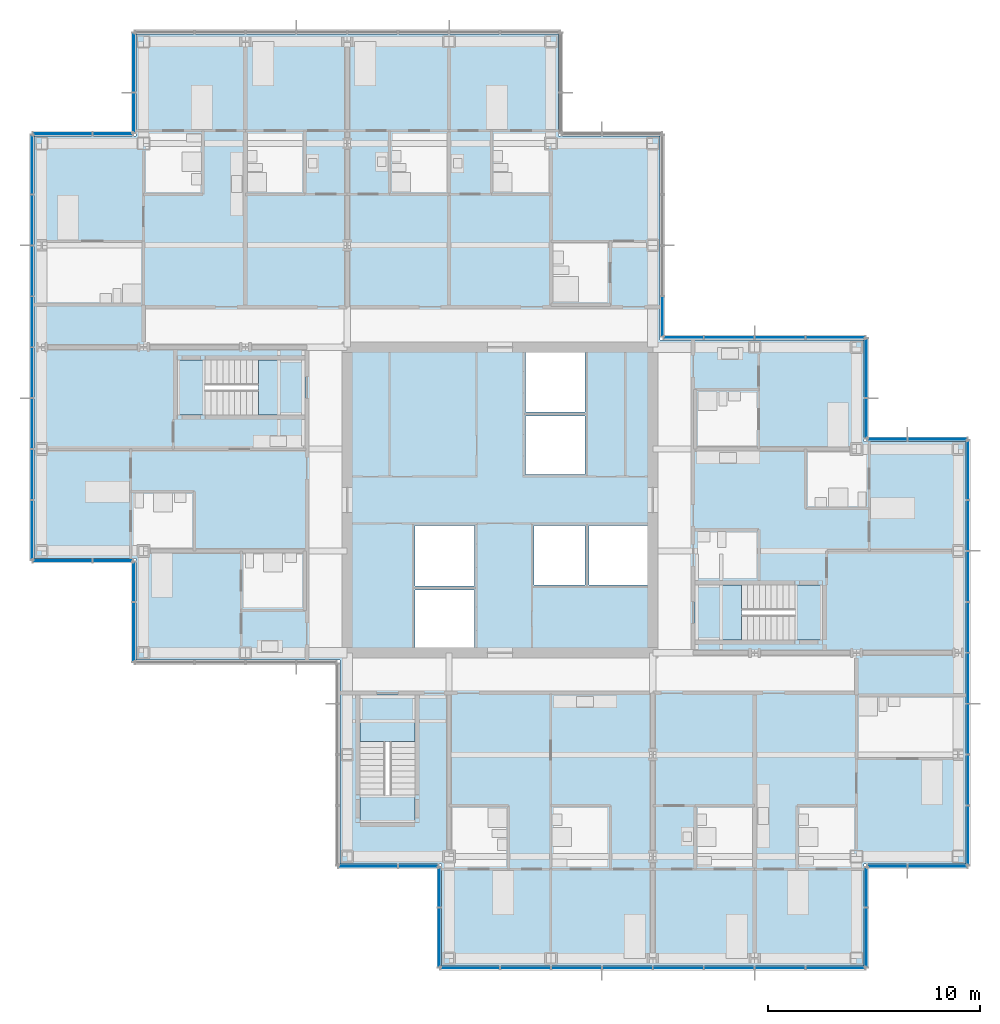
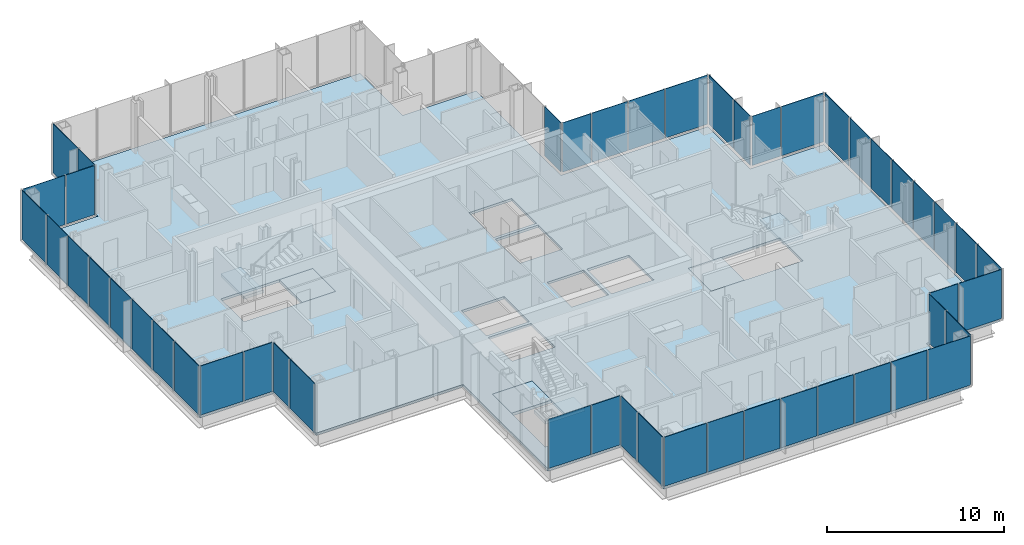
# One storey, part 12 of 20: 49 plates, 7 slabs, 18 elements without a shape of their own.
"""IFC4 building model written with IfcOpenShell, lengths in metres."""

import ifcopenshell
import ifcopenshell.guid

model = None  # the IFC model being written
_history = None  # IfcOwnerHistory: only IFC2X3 demands one
_inside = {}  # id of a spatial element -> (the spatial element, [elements in it])
_under = {}  # id of a project, library or spatial element -> (it, [spatial elements below it])
_declared = {}  # id of a project -> (the project, [libraries it declares])
_typed = {}  # id of a type object -> (the type object, [elements of that type])
_made_of = {}  # id of a material, layer set ... -> (it, [elements and type objects made of it])


def new_model(schema):
    """Start an empty IFC model of exactly this schema.

    Asked for "IFC4X3", IfcOpenShell would pick the latest addendum, in which some entities
    have other attributes; the version numbers below select the first issue.
    IFC2X3 requires an IfcOwnerHistory on every rooted entity: one is made here for all.
    """
    global model, _history
    if schema == "IFC4X3":
        model = ifcopenshell.file(schema_version=(4, 3, 0, 0))
    else:
        model = ifcopenshell.file(schema=schema)
    _inside.clear()
    _under.clear()
    _declared.clear()
    _typed.clear()
    _made_of.clear()
    _history = None
    if model.schema == "IFC2X3":
        org = make("IfcOrganization", Name="unknown")
        user = make(
            "IfcPersonAndOrganization",
            ThePerson=make("IfcPerson", FamilyName="unknown"),
            TheOrganization=org,
        )
        app = make(
            "IfcApplication",
            ApplicationDeveloper=org,
            Version="unknown",
            ApplicationFullName="unknown",
            ApplicationIdentifier="unknown",
        )
        _history = make(
            "IfcOwnerHistory",
            OwningUser=user,
            OwningApplication=app,
            ChangeAction="ADDED",
            CreationDate=0,
        )
    return model


def make(cls, **values):
    """One entity of the class cls with the attributes given. An attribute that is None is left unset."""
    return model.create_entity(
        cls, **{name: value for name, value in values.items() if value is not None}
    )


def rooted(cls, **values):
    """An entity with a GlobalId (a new one), such as an element, a storey or a relation."""
    return make(cls, GlobalId=ifcopenshell.guid.new(), OwnerHistory=_history, **values)


def si_unit(unit_type, name, prefix=None):
    """IfcSIUnit, for example si_unit("LENGTHUNIT", "METRE", prefix="MILLI")."""
    return make("IfcSIUnit", UnitType=unit_type, Prefix=prefix, Name=name)


def assignment(units):
    """IfcUnitAssignment: the units of a project."""
    return None if units is None else make("IfcUnitAssignment", Units=units)


def point(xyz):
    """IfcCartesianPoint."""
    return None if xyz is None else make("IfcCartesianPoint", Coordinates=xyz)


def direction(xyz):
    """IfcDirection."""
    return None if xyz is None else make("IfcDirection", DirectionRatios=xyz)


def frame(location, z_axis=None, x_axis=None):
    """IfcAxis2Placement3D, a coordinate frame: its origin and axes. An axis left out is left unset."""
    return make(
        "IfcAxis2Placement3D",
        Location=point(location),
        Axis=direction(z_axis),
        RefDirection=direction(x_axis),
    )


def frame_2d(location, x_axis=None):
    """IfcAxis2Placement2D, a coordinate frame in the plane: its origin and x axis."""
    return make(
        "IfcAxis2Placement2D", Location=point(location), RefDirection=direction(x_axis)
    )


def origin():
    """The frame at (0, 0, 0) with its axes left unset."""
    return frame((0.0, 0.0, 0.0))


def origin_2d():
    """The frame at (0, 0) in the plane with its x axis left unset."""
    return frame_2d((0.0, 0.0))


def place(relative_to, where):
    """IfcLocalPlacement: puts the frame where relative to a parent placement (None: the world)."""
    return make(
        "IfcLocalPlacement", PlacementRelTo=relative_to, RelativePlacement=where
    )


def context(
    kind, dimensions, precision=None, world=None, true_north=None, identifier=None
):
    """IfcGeometricRepresentationContext, for example the 3D "Model" context."""
    return make(
        "IfcGeometricRepresentationContext",
        ContextIdentifier=identifier,
        ContextType=kind,
        CoordinateSpaceDimension=dimensions,
        Precision=precision,
        WorldCoordinateSystem=world,
        TrueNorth=true_north,
    )


def subcontext(parent, identifier, kind, view, scale=None):
    """IfcGeometricRepresentationSubContext, for example "Body" below "Model"."""
    return make(
        "IfcGeometricRepresentationSubContext",
        ContextIdentifier=identifier,
        ContextType=kind,
        ParentContext=parent,
        TargetScale=scale,
        TargetView=view,
    )


def project(units=None, contexts=None):
    """IfcProject with its units and contexts."""
    return rooted(
        "IfcProject",
        Name="project",
        RepresentationContexts=contexts,
        UnitsInContext=assignment(units),
    )


def spatial(cls, under=None, at=None, **own):
    """A site, building, storey or space (cls), placed at a placement, below another one or the project."""
    s = rooted(cls, ObjectPlacement=at, **own)
    if under is not None:
        _under.setdefault(under.id(), (under, []))[1].append(s)
    return s


def polyline(points):
    """IfcPolyline through the points."""
    return make("IfcPolyline", Points=[point(p) for p in points])


def profile(cls, at=None, kind="AREA", **sizes):
    """A parametric profile (cls). Its sizes go by their IFC names, for example OverallWidth=200.0."""
    return make(cls, ProfileType=kind, Position=at, **sizes)


def rectangle(**sizes):
    """IfcRectangleProfileDef."""
    return profile("IfcRectangleProfileDef", **sizes)


def outline(outer, holes=None, kind="AREA"):
    """IfcArbitraryClosedProfileDef: a profile drawn as a closed curve; with holes, ...WithVoids."""
    if holes is None:
        return make("IfcArbitraryClosedProfileDef", ProfileType=kind, OuterCurve=outer)
    return make(
        "IfcArbitraryProfileDefWithVoids",
        ProfileType=kind,
        OuterCurve=outer,
        InnerCurves=holes,
    )


def extrude(swept, where, along, depth):
    """IfcExtrudedAreaSolid: the profile swept, set in the frame where, extruded along a direction by depth."""
    return make(
        "IfcExtrudedAreaSolid",
        SweptArea=swept,
        Position=where,
        ExtrudedDirection=direction(along),
        Depth=depth,
    )


def shape(context_of_items, identifier, shape_type, items):
    """IfcShapeRepresentation: the items that make up one representation, for example the "Body"."""
    return make(
        "IfcShapeRepresentation",
        ContextOfItems=context_of_items,
        RepresentationIdentifier=identifier,
        RepresentationType=shape_type,
        Items=items,
    )


def material(Name=None, Category=None):
    """IfcMaterial."""
    return make("IfcMaterial", Name=Name, Category=Category)


def layer(
    of_material, thickness, ventilated=None, Name=None, Category=None, Priority=None
):
    """IfcMaterialLayer: one layer of a wall or slab, of a material (None: an air gap)."""
    return make(
        "IfcMaterialLayer",
        Material=of_material,
        LayerThickness=thickness,
        IsVentilated=ventilated,
        Name=Name,
        Category=Category,
        Priority=Priority,
    )


def layer_set(layers, Name=None):
    """IfcMaterialLayerSet."""
    return make("IfcMaterialLayerSet", MaterialLayers=layers, LayerSetName=Name)


def made_of(thing, what):
    """Note that an element or type object is made of a material, layer set ...; save() writes the relation."""
    if what is not None:
        _made_of.setdefault(what.id(), (what, []))[1].append(thing)
    return thing


def type_object(cls, material=None, **own):
    """A type object (cls), such as IfcWallType, which elements share."""
    return made_of(rooted(cls, **own), material)


def element(
    cls,
    number,
    at=None,
    inside=None,
    cuts=None,
    type_object=None,
    material=None,
    context=None,
    identifier="Body",
    shape_type=None,
    held_by="IfcProductDefinitionShape",
    body=None,
    shapes=None,
    **own,
):
    """One element of the class cls, such as IfcWall. Its Tag is "e" and its number.

    at: its placement. inside: the storey or other place that contains it. cuts: it is an
    opening in that element (IfcRelVoidsElement). A single representation is given by context,
    identifier, shape_type and body (its items); several are given by shapes. held_by: the class
    of the entity that holds the representations. save() writes the other relations.
    """
    e = rooted(cls, Tag="e%d" % number, ObjectPlacement=at, **own)
    if body is not None:
        shapes = [shape(context, identifier, shape_type, body)]
    if shapes is not None:
        e.Representation = make(held_by, Representations=shapes)
    if inside is not None:
        _inside.setdefault(inside.id(), (inside, []))[1].append(e)
    if cuts is not None:
        rooted(
            "IfcRelVoidsElement", RelatingBuildingElement=cuts, RelatedOpeningElement=e
        )
    if type_object is not None:
        _typed.setdefault(type_object.id(), (type_object, []))[1].append(e)
    return made_of(e, material)


def aggregate(whole, parts):
    """IfcRelAggregates: a whole, such as a stair, and the parts it consists of."""
    return rooted("IfcRelAggregates", RelatingObject=whole, RelatedObjects=parts)


def save(model, path):
    """Write the relations noted so far, then the file.

    IfcRelAggregates (storeys below a building ...), IfcRelContainedInSpatialStructure (elements
    in a storey), IfcRelDefinesByType, IfcRelAssociatesMaterial and IfcRelDeclares: one each for
    every whole, place, type object, material and project.
    """
    for whole, parts in _under.values():
        aggregate(whole, parts)
    for where, things in _inside.values():
        rooted(
            "IfcRelContainedInSpatialStructure",
            RelatedElements=things,
            RelatingStructure=where,
        )
    for kind, things in _typed.values():
        rooted("IfcRelDefinesByType", RelatedObjects=things, RelatingType=kind)
    for what, things in _made_of.values():
        rooted("IfcRelAssociatesMaterial", RelatedObjects=things, RelatingMaterial=what)
    for by, libraries in _declared.values():
        rooted("IfcRelDeclares", RelatingContext=by, RelatedDefinitions=libraries)
    model.write(path)


model = new_model("IFC4")

# Units and contexts
model_context = context("Model", 3, precision=1e-05, world=origin(), true_north=direction((0.0, 1.0)))
body_context = subcontext(model_context, "Body", "Model", "MODEL_VIEW")
ifc_project = project(units=[si_unit("LENGTHUNIT", "METRE"), si_unit("AREAUNIT", "SQUARE_METRE"), si_unit("VOLUMEUNIT", "CUBIC_METRE"), si_unit("PLANEANGLEUNIT", "RADIAN"), si_unit("MASSUNIT", "GRAM", prefix="KILO")], contexts=[model_context])

# Site, building, storey
site_placement = place(None, origin())
site = spatial("IfcSite", under=ifc_project, at=site_placement, CompositionType="ELEMENT")
building_placement = place(site_placement, origin())
building = spatial("IfcBuilding", under=site, at=building_placement, Name="Kvirike Care Tower", CompositionType="ELEMENT")
storey_placement = place(building_placement, frame((0.0, 0.0, 115.5)))
storey = spatial("IfcBuildingStorey", under=building, at=storey_placement, Name="L31", CompositionType="ELEMENT", Elevation=115.5)

# Slab
ifc_material_1 = material(Name="Concrete C35/45", Category="concrete")
ifc_layer_1 = layer(ifc_material_1, 0.169921875)
ifc_layer_set_1 = layer_set([ifc_layer_1], Name="FLOOR SLAB 170")
slab_type_1 = type_object("IfcSlabType", Name="FLOOR SLAB 170", PredefinedType="FLOOR", material=ifc_layer_set_1)
slab_1_placement = place(storey_placement, frame((0.0, 0.0, -0.169921875)))
element("IfcSlab", 1, at=slab_1_placement, inside=storey, type_object=slab_type_1, Name="Floor slab L31", PredefinedType="FLOOR", context=body_context, shape_type="SweptSolid", body=[
    extrude(outline(polyline([(43.550048828125, 18.85009765625), (43.550048828125, 38.75), (38.75, 38.75), (38.75, 43.550048828125), (29.14990234375, 43.550048828125), (29.14990234375, 53.14990234375), (24.35009765625, 53.14990234375), (24.35009765625, 57.949951171875), (4.449951171875, 57.949951171875), (4.449951171875, 53.14990234375), (-0.35009765625, 53.14990234375), (-0.35009765625, 33.25), (4.449951171875, 33.25), (4.449951171875, 28.449951171875), (14.050048828125, 28.449951171875), (14.050048828125, 18.85009765625), (18.85009765625, 18.85009765625), (18.85009765625, 14.050048828125), (38.75, 14.050048828125), (38.75, 18.85009765625), (43.550048828125, 18.85009765625)]), holes=[polyline([(17.60009765625, 29.050048828125), (17.60009765625, 31.75), (20.39990234375, 31.75), (20.39990234375, 29.050048828125), (17.60009765625, 29.050048828125)]), polyline([(17.60009765625, 31.949951171875), (17.60009765625, 34.800048828125), (20.39990234375, 34.800048828125), (20.39990234375, 31.949951171875), (17.60009765625, 31.949951171875)]), polyline([(22.800048828125, 37.199951171875), (22.800048828125, 39.949951171875), (25.60009765625, 39.949951171875), (25.60009765625, 37.199951171875), (22.800048828125, 37.199951171875)]), polyline([(22.800048828125, 40.14990234375), (22.800048828125, 42.949951171875), (25.60009765625, 42.949951171875), (25.60009765625, 40.14990234375), (22.800048828125, 40.14990234375)]), polyline([(23.199951171875, 32.0), (23.199951171875, 34.800048828125), (25.60009765625, 34.800048828125), (25.60009765625, 32.0), (23.199951171875, 32.0)]), polyline([(25.800048828125, 32.0), (25.800048828125, 34.800048828125), (28.550048828125, 34.800048828125), (28.550048828125, 32.0), (25.800048828125, 32.0)]), polyline([(12.39990234375, 42.60009765625), (12.39990234375, 40.0), (6.39990234375, 40.0), (6.39990234375, 42.60009765625), (12.39990234375, 42.60009765625)]), polyline([(30.800048828125, 29.39990234375), (30.800048828125, 32.0), (36.800048828125, 32.0), (36.800048828125, 29.39990234375), (30.800048828125, 29.39990234375)]), polyline([(15.0, 26.800048828125), (17.60009765625, 26.800048828125), (17.60009765625, 20.800048828125), (15.0, 20.800048828125), (15.0, 26.800048828125)])]), origin(), (0.0, 0.0, 1.0), 0.169921875),
])

# Stair, slabs
ifc_material_2 = material(Name="Concrete C35/45", Category="concrete")
stair_type = type_object("IfcStairType", Name="STAIR 20 RISERS", PredefinedType="HALF_TURN_STAIR", material=ifc_material_2)
stair_1_placement = place(storey_placement, origin())
stair_1 = element("IfcStair", 2, at=stair_1_placement, inside=storey, type_object=stair_type, Name="Stair 1 L31", PredefinedType="HALF_TURN_STAIR")
ifc_material_3 = material(Name="Concrete C35/45", Category="concrete")
ifc_layer_2 = layer(ifc_material_3, 0.199951171875)
ifc_layer_set_2 = layer_set([ifc_layer_2], Name="STAIR LANDING 200")
slab_type_2 = type_object("IfcSlabType", Name="STAIR LANDING 200", PredefinedType="LANDING", material=ifc_layer_set_2)
slab_2_placement = place(storey_placement, frame((0.0, 0.0, -0.199951171875)))
slab_2 = element("IfcSlab", 3, at=slab_2_placement, type_object=slab_type_2, Name="Stair S1 floor landing L31", PredefinedType="LANDING", context=body_context, shape_type="SweptSolid", body=[
    extrude(outline(polyline([(10.219970703125, 42.60009765625), (10.219970703125, 40.0), (12.39990234375, 40.0), (12.39990234375, 42.60009765625), (10.219970703125, 42.60009765625)])), origin(), (0.0, 0.0, 1.0), 0.199951171875),
])
slab_3_placement = place(storey_placement, frame((0.0, 0.0, 1.550048828125)))
slab_3 = element("IfcSlab", 4, at=slab_3_placement, type_object=slab_type_2, Name="Stair S1 half landing L31-L32", PredefinedType="LANDING", context=body_context, shape_type="SweptSolid", body=[
    extrude(outline(polyline([(6.39990234375, 42.60009765625), (6.39990234375, 40.0), (7.699951171875, 40.0), (7.699951171875, 42.60009765625), (6.39990234375, 42.60009765625)])), origin(), (0.0, 0.0, 1.0), 0.199951171875),
])
aggregate(stair_1, [slab_2, slab_3])

stair_2_placement = place(storey_placement, origin())
stair_2 = element("IfcStair", 5, at=stair_2_placement, inside=storey, type_object=stair_type, Name="Stair 2 L31", PredefinedType="HALF_TURN_STAIR")
slab_4_placement = place(storey_placement, frame((0.0, 0.0, -0.199951171875)))
slab_4 = element("IfcSlab", 6, at=slab_4_placement, type_object=slab_type_2, Name="Stair S2 floor landing L31", PredefinedType="LANDING", context=body_context, shape_type="SweptSolid", body=[
    extrude(outline(polyline([(32.97998046875, 29.39990234375), (32.97998046875, 32.0), (30.800048828125, 32.0), (30.800048828125, 29.39990234375), (32.97998046875, 29.39990234375)])), origin(), (0.0, 0.0, 1.0), 0.199951171875),
])
slab_5_placement = place(storey_placement, frame((0.0, 0.0, 1.550048828125)))
slab_5 = element("IfcSlab", 7, at=slab_5_placement, type_object=slab_type_2, Name="Stair S2 half landing L31-L32", PredefinedType="LANDING", context=body_context, shape_type="SweptSolid", body=[
    extrude(outline(polyline([(36.800048828125, 29.39990234375), (36.800048828125, 32.0), (35.5, 32.0), (35.5, 29.39990234375), (36.800048828125, 29.39990234375)])), origin(), (0.0, 0.0, 1.0), 0.199951171875),
])
aggregate(stair_2, [slab_4, slab_5])

stair_3_placement = place(storey_placement, origin())
stair_3 = element("IfcStair", 8, at=stair_3_placement, inside=storey, type_object=stair_type, Name="Stair 5 L31", PredefinedType="HALF_TURN_STAIR")
slab_6_placement = place(storey_placement, frame((0.0, 0.0, -0.199951171875)))
slab_6 = element("IfcSlab", 9, at=slab_6_placement, type_object=slab_type_2, Name="Stair S5 floor landing L31", PredefinedType="LANDING", context=body_context, shape_type="SweptSolid", body=[
    extrude(outline(polyline([(15.0, 24.6201171875), (17.60009765625, 24.6201171875), (17.60009765625, 26.800048828125), (15.0, 26.800048828125), (15.0, 24.6201171875)])), origin(), (0.0, 0.0, 1.0), 0.199951171875),
])
slab_7_placement = place(storey_placement, frame((0.0, 0.0, 1.550048828125)))
slab_7 = element("IfcSlab", 10, at=slab_7_placement, type_object=slab_type_2, Name="Stair S5 half landing L31-L32", PredefinedType="LANDING", context=body_context, shape_type="SweptSolid", body=[
    extrude(outline(polyline([(15.0, 20.800048828125), (17.60009765625, 20.800048828125), (17.60009765625, 22.10009765625), (15.0, 22.10009765625), (15.0, 20.800048828125)])), origin(), (0.0, 0.0, 1.0), 0.199951171875),
])
aggregate(stair_3, [slab_6, slab_7])

# Curtain wall, plates
ifc_material_4 = material(Name="Anodised aluminium stick system", Category="aluminium")
curtain_wall_type = type_object("IfcCurtainWallType", Name="CW-B STICK CURTAIN WALL", PredefinedType="NOTDEFINED", material=ifc_material_4)
curtain_wall_1_placement = place(storey_placement, origin())
curtain_wall_1 = element("IfcCurtainWall", 11, at=curtain_wall_1_placement, inside=storey, type_object=curtain_wall_type, Name="Curtain wall L31 face 1", PredefinedType="NOTDEFINED")
ifc_material_5 = material(Name="Tinted double glazed unit", Category="glass")
ifc_layer_3 = layer(ifc_material_5, 0.035888671875)
ifc_layer_set_3 = layer_set([ifc_layer_3], Name="TINTED VISION PANEL 36")
plate_type = type_object("IfcPlateType", Name="TINTED VISION PANEL 36", PredefinedType="CURTAIN_PANEL", material=ifc_layer_set_3)
plate_1_placement = place(storey_placement, frame((43.659912109375, 20.186279296875, 0.10009765625), z_axis=(0.0, 0.0, 1.0), x_axis=(0.0, 1.0, 0.0)))
plate_1 = element("IfcPlate", 12, at=plate_1_placement, type_object=plate_type, Name="CW-B panel L31 face 1.1", PredefinedType="CURTAIN_PANEL", context=body_context, shape_type="SweptSolid", body=[
    extrude(rectangle(XDim=2.762451171875, YDim=0.035888671875, at=origin_2d()), origin(), (0.0, 0.0, 1.0), 3.39990234375),
])
plate_2_placement = place(storey_placement, frame((43.659912109375, 22.800048828125, 0.10009765625), z_axis=(0.0, 0.0, 1.0), x_axis=(0.0, 1.0, 0.0)))
plate_2 = element("IfcPlate", 13, at=plate_2_placement, type_object=plate_type, Name="CW-B panel L31 face 1.2", PredefinedType="CURTAIN_PANEL", context=body_context, shape_type="SweptSolid", body=[
    extrude(rectangle(XDim=2.3349609375, YDim=0.035888671875, at=origin_2d()), origin(), (0.0, 0.0, 1.0), 3.39990234375),
])
plate_3_placement = place(storey_placement, frame((43.659912109375, 25.199951171875, 0.10009765625), z_axis=(0.0, 0.0, 1.0), x_axis=(0.0, 1.0, 0.0)))
plate_3 = element("IfcPlate", 14, at=plate_3_placement, type_object=plate_type, Name="CW-B panel L31 face 1.3", PredefinedType="CURTAIN_PANEL", context=body_context, shape_type="SweptSolid", body=[
    extrude(rectangle(XDim=2.3349609375, YDim=0.035888671875, at=origin_2d()), origin(), (0.0, 0.0, 1.0), 3.39990234375),
])
plate_4_placement = place(storey_placement, frame((43.659912109375, 27.60009765625, 0.10009765625), z_axis=(0.0, 0.0, 1.0), x_axis=(0.0, 1.0, 0.0)))
plate_4 = element("IfcPlate", 15, at=plate_4_placement, type_object=plate_type, Name="CW-B panel L31 face 1.4", PredefinedType="CURTAIN_PANEL", context=body_context, shape_type="SweptSolid", body=[
    extrude(rectangle(XDim=2.3349609375, YDim=0.035888671875, at=origin_2d()), origin(), (0.0, 0.0, 1.0), 3.39990234375),
])
plate_5_placement = place(storey_placement, frame((43.659912109375, 30.0, 0.10009765625), z_axis=(0.0, 0.0, 1.0), x_axis=(0.0, 1.0, 0.0)))
plate_5 = element("IfcPlate", 16, at=plate_5_placement, type_object=plate_type, Name="CW-B panel L31 face 1.5", PredefinedType="CURTAIN_PANEL", context=body_context, shape_type="SweptSolid", body=[
    extrude(rectangle(XDim=2.3349609375, YDim=0.035888671875, at=origin_2d()), origin(), (0.0, 0.0, 1.0), 3.39990234375),
])
plate_6_placement = place(storey_placement, frame((43.659912109375, 32.39990234375, 0.10009765625), z_axis=(0.0, 0.0, 1.0), x_axis=(0.0, 1.0, 0.0)))
plate_6 = element("IfcPlate", 17, at=plate_6_placement, type_object=plate_type, Name="CW-B panel L31 face 1.6", PredefinedType="CURTAIN_PANEL", context=body_context, shape_type="SweptSolid", body=[
    extrude(rectangle(XDim=2.3349609375, YDim=0.035888671875, at=origin_2d()), origin(), (0.0, 0.0, 1.0), 3.39990234375),
])
plate_7_placement = place(storey_placement, frame((43.659912109375, 34.800048828125, 0.10009765625), z_axis=(0.0, 0.0, 1.0), x_axis=(0.0, 1.0, 0.0)))
plate_7 = element("IfcPlate", 18, at=plate_7_placement, type_object=plate_type, Name="CW-B panel L31 face 1.7", PredefinedType="CURTAIN_PANEL", context=body_context, shape_type="SweptSolid", body=[
    extrude(rectangle(XDim=2.3349609375, YDim=0.035888671875, at=origin_2d()), origin(), (0.0, 0.0, 1.0), 3.39990234375),
])
plate_8_placement = place(storey_placement, frame((43.659912109375, 37.413818359375, 0.10009765625), z_axis=(0.0, 0.0, 1.0), x_axis=(0.0, 1.0, 0.0)))
plate_8 = element("IfcPlate", 19, at=plate_8_placement, type_object=plate_type, Name="CW-B panel L31 face 1.8", PredefinedType="CURTAIN_PANEL", context=body_context, shape_type="SweptSolid", body=[
    extrude(rectangle(XDim=2.762451171875, YDim=0.035888671875, at=origin_2d()), origin(), (0.0, 0.0, 1.0), 3.39990234375),
])
aggregate(curtain_wall_1, [plate_1, plate_2, plate_3, plate_4, plate_5, plate_6, plate_7, plate_8])

curtain_wall_2_placement = place(storey_placement, origin())
curtain_wall_2 = element("IfcCurtainWall", 20, at=curtain_wall_2_placement, inside=storey, type_object=curtain_wall_type, Name="Curtain wall L31 face 2", PredefinedType="NOTDEFINED")
plate_9_placement = place(storey_placement, frame((42.2138671875, 38.860107421875, 0.10009765625), z_axis=(0.0, 0.0, 1.0), x_axis=(-1.0, 0.0, 0.0)))
plate_9 = element("IfcPlate", 21, at=plate_9_placement, type_object=plate_type, Name="CW-B panel L31 face 2.1", PredefinedType="CURTAIN_PANEL", context=body_context, shape_type="SweptSolid", body=[
    extrude(rectangle(XDim=2.762451171875, YDim=0.035888671875, at=origin_2d()), origin(), (0.0, 0.0, 1.0), 3.39990234375),
])
plate_10_placement = place(storey_placement, frame((39.84619140625, 38.860107421875, 0.10009765625), z_axis=(0.0, 0.0, 1.0), x_axis=(-1.0, 0.0, 0.0)))
plate_10 = element("IfcPlate", 22, at=plate_10_placement, type_object=plate_type, Name="CW-B panel L31 face 2.2", PredefinedType="CURTAIN_PANEL", context=body_context, shape_type="SweptSolid", body=[
    extrude(rectangle(XDim=1.842529296875, YDim=0.035888671875, at=origin_2d()), origin(), (0.0, 0.0, 1.0), 3.39990234375),
])
aggregate(curtain_wall_2, [plate_9, plate_10])

curtain_wall_3_placement = place(storey_placement, origin())
curtain_wall_3 = element("IfcCurtainWall", 23, at=curtain_wall_3_placement, inside=storey, type_object=curtain_wall_type, Name="Curtain wall L31 face 3", PredefinedType="NOTDEFINED")
plate_11_placement = place(storey_placement, frame((38.860107421875, 39.84619140625, 0.10009765625), z_axis=(0.0, 0.0, 1.0), x_axis=(0.0, 1.0, 0.0)))
plate_11 = element("IfcPlate", 24, at=plate_11_placement, type_object=plate_type, Name="CW-B panel L31 face 3.1", PredefinedType="CURTAIN_PANEL", context=body_context, shape_type="SweptSolid", body=[
    extrude(rectangle(XDim=1.842529296875, YDim=0.035888671875, at=origin_2d()), origin(), (0.0, 0.0, 1.0), 3.39990234375),
])
plate_12_placement = place(storey_placement, frame((38.860107421875, 42.2138671875, 0.10009765625), z_axis=(0.0, 0.0, 1.0), x_axis=(0.0, 1.0, 0.0)))
plate_12 = element("IfcPlate", 25, at=plate_12_placement, type_object=plate_type, Name="CW-B panel L31 face 3.2", PredefinedType="CURTAIN_PANEL", context=body_context, shape_type="SweptSolid", body=[
    extrude(rectangle(XDim=2.762451171875, YDim=0.035888671875, at=origin_2d()), origin(), (0.0, 0.0, 1.0), 3.39990234375),
])
aggregate(curtain_wall_3, [plate_11, plate_12])

curtain_wall_4_placement = place(storey_placement, origin())
curtain_wall_4 = element("IfcCurtainWall", 26, at=curtain_wall_4_placement, inside=storey, type_object=curtain_wall_type, Name="Curtain wall L31 face 4", PredefinedType="NOTDEFINED")
plate_13_placement = place(storey_placement, frame((37.413818359375, 43.659912109375, 0.10009765625), z_axis=(0.0, 0.0, 1.0), x_axis=(-1.0, 0.0, 0.0)))
plate_13 = element("IfcPlate", 27, at=plate_13_placement, type_object=plate_type, Name="CW-B panel L31 face 4.1", PredefinedType="CURTAIN_PANEL", context=body_context, shape_type="SweptSolid", body=[
    extrude(rectangle(XDim=2.762451171875, YDim=0.035888671875, at=origin_2d()), origin(), (0.0, 0.0, 1.0), 3.39990234375),
])
plate_14_placement = place(storey_placement, frame((34.800048828125, 43.659912109375, 0.10009765625), z_axis=(0.0, 0.0, 1.0), x_axis=(-1.0, 0.0, 0.0)))
plate_14 = element("IfcPlate", 28, at=plate_14_placement, type_object=plate_type, Name="CW-B panel L31 face 4.2", PredefinedType="CURTAIN_PANEL", context=body_context, shape_type="SweptSolid", body=[
    extrude(rectangle(XDim=2.3349609375, YDim=0.035888671875, at=origin_2d()), origin(), (0.0, 0.0, 1.0), 3.39990234375),
])
plate_15_placement = place(storey_placement, frame((32.39990234375, 43.659912109375, 0.10009765625), z_axis=(0.0, 0.0, 1.0), x_axis=(-1.0, 0.0, 0.0)))
plate_15 = element("IfcPlate", 29, at=plate_15_placement, type_object=plate_type, Name="CW-B panel L31 face 4.3", PredefinedType="CURTAIN_PANEL", context=body_context, shape_type="SweptSolid", body=[
    extrude(rectangle(XDim=2.3349609375, YDim=0.035888671875, at=origin_2d()), origin(), (0.0, 0.0, 1.0), 3.39990234375),
])
plate_16_placement = place(storey_placement, frame((30.246337890625, 43.659912109375, 0.10009765625), z_axis=(0.0, 0.0, 1.0), x_axis=(-1.0, 0.0, 0.0)))
plate_16 = element("IfcPlate", 30, at=plate_16_placement, type_object=plate_type, Name="CW-B panel L31 face 4.4", PredefinedType="CURTAIN_PANEL", context=body_context, shape_type="SweptSolid", body=[
    extrude(rectangle(XDim=1.842529296875, YDim=0.035888671875, at=origin_2d()), origin(), (0.0, 0.0, 1.0), 3.39990234375),
])
aggregate(curtain_wall_4, [plate_13, plate_14, plate_15, plate_16])

# Curtain wall, plate
curtain_wall_5_placement = place(storey_placement, origin())
curtain_wall_5 = element("IfcCurtainWall", 31, at=curtain_wall_5_placement, inside=storey, type_object=curtain_wall_type, Name="Curtain wall L31 face 5", PredefinedType="NOTDEFINED")
plate_17_placement = place(storey_placement, frame((29.260009765625, 44.646240234375, 0.10009765625), z_axis=(0.0, 0.0, 1.0), x_axis=(0.0, 1.0, 0.0)))
plate_17 = element("IfcPlate", 32, at=plate_17_placement, type_object=plate_type, Name="CW-B panel L31 face 5.1", PredefinedType="CURTAIN_PANEL", context=body_context, shape_type="SweptSolid", body=[
    extrude(rectangle(XDim=1.842529296875, YDim=0.035888671875, at=origin_2d()), origin(), (0.0, 0.0, 1.0), 3.39990234375),
])
aggregate(curtain_wall_5, [plate_17])

# Curtain wall, plates
curtain_wall_6_placement = place(storey_placement, origin())
curtain_wall_6 = element("IfcCurtainWall", 33, at=curtain_wall_6_placement, inside=storey, type_object=curtain_wall_type, Name="Curtain wall L31 face 9", PredefinedType="NOTDEFINED")
plate_18_placement = place(storey_placement, frame((4.340087890625, 56.61376953125, 0.10009765625), z_axis=(0.0, 0.0, 1.0), x_axis=(0.0, -1.0, 0.0)))
plate_18 = element("IfcPlate", 34, at=plate_18_placement, type_object=plate_type, Name="CW-B panel L31 face 9.1", PredefinedType="CURTAIN_PANEL", context=body_context, shape_type="SweptSolid", body=[
    extrude(rectangle(XDim=2.762451171875, YDim=0.035888671875, at=origin_2d()), origin(), (0.0, 0.0, 1.0), 3.39990234375),
])
plate_19_placement = place(storey_placement, frame((4.340087890625, 54.246337890625, 0.10009765625), z_axis=(0.0, 0.0, 1.0), x_axis=(0.0, -1.0, 0.0)))
plate_19 = element("IfcPlate", 35, at=plate_19_placement, type_object=plate_type, Name="CW-B panel L31 face 9.2", PredefinedType="CURTAIN_PANEL", context=body_context, shape_type="SweptSolid", body=[
    extrude(rectangle(XDim=1.842529296875, YDim=0.035888671875, at=origin_2d()), origin(), (0.0, 0.0, 1.0), 3.39990234375),
])
aggregate(curtain_wall_6, [plate_18, plate_19])

curtain_wall_7_placement = place(storey_placement, origin())
curtain_wall_7 = element("IfcCurtainWall", 36, at=curtain_wall_7_placement, inside=storey, type_object=curtain_wall_type, Name="Curtain wall L31 face 10", PredefinedType="NOTDEFINED")
plate_20_placement = place(storey_placement, frame((3.353759765625, 53.260009765625, 0.10009765625), z_axis=(0.0, 0.0, 1.0), x_axis=(-1.0, 0.0, 0.0)))
plate_20 = element("IfcPlate", 37, at=plate_20_placement, type_object=plate_type, Name="CW-B panel L31 face 10.1", PredefinedType="CURTAIN_PANEL", context=body_context, shape_type="SweptSolid", body=[
    extrude(rectangle(XDim=1.842529296875, YDim=0.035888671875, at=origin_2d()), origin(), (0.0, 0.0, 1.0), 3.39990234375),
])
plate_21_placement = place(storey_placement, frame((0.986328125, 53.260009765625, 0.10009765625), z_axis=(0.0, 0.0, 1.0), x_axis=(-1.0, 0.0, 0.0)))
plate_21 = element("IfcPlate", 38, at=plate_21_placement, type_object=plate_type, Name="CW-B panel L31 face 10.2", PredefinedType="CURTAIN_PANEL", context=body_context, shape_type="SweptSolid", body=[
    extrude(rectangle(XDim=2.762451171875, YDim=0.035888671875, at=origin_2d()), origin(), (0.0, 0.0, 1.0), 3.39990234375),
])
aggregate(curtain_wall_7, [plate_20, plate_21])

curtain_wall_8_placement = place(storey_placement, origin())
curtain_wall_8 = element("IfcCurtainWall", 39, at=curtain_wall_8_placement, inside=storey, type_object=curtain_wall_type, Name="Curtain wall L31 face 11", PredefinedType="NOTDEFINED")
plate_22_placement = place(storey_placement, frame((-0.4599609375, 51.813720703125, 0.10009765625), z_axis=(0.0, 0.0, 1.0), x_axis=(0.0, -1.0, 0.0)))
plate_22 = element("IfcPlate", 40, at=plate_22_placement, type_object=plate_type, Name="CW-B panel L31 face 11.1", PredefinedType="CURTAIN_PANEL", context=body_context, shape_type="SweptSolid", body=[
    extrude(rectangle(XDim=2.762451171875, YDim=0.035888671875, at=origin_2d()), origin(), (0.0, 0.0, 1.0), 3.39990234375),
])
plate_23_placement = place(storey_placement, frame((-0.4599609375, 49.199951171875, 0.10009765625), z_axis=(0.0, 0.0, 1.0), x_axis=(0.0, -1.0, 0.0)))
plate_23 = element("IfcPlate", 41, at=plate_23_placement, type_object=plate_type, Name="CW-B panel L31 face 11.2", PredefinedType="CURTAIN_PANEL", context=body_context, shape_type="SweptSolid", body=[
    extrude(rectangle(XDim=2.3349609375, YDim=0.035888671875, at=origin_2d()), origin(), (0.0, 0.0, 1.0), 3.39990234375),
])
plate_24_placement = place(storey_placement, frame((-0.4599609375, 46.800048828125, 0.10009765625), z_axis=(0.0, 0.0, 1.0), x_axis=(0.0, -1.0, 0.0)))
plate_24 = element("IfcPlate", 42, at=plate_24_placement, type_object=plate_type, Name="CW-B panel L31 face 11.3", PredefinedType="CURTAIN_PANEL", context=body_context, shape_type="SweptSolid", body=[
    extrude(rectangle(XDim=2.3349609375, YDim=0.035888671875, at=origin_2d()), origin(), (0.0, 0.0, 1.0), 3.39990234375),
])
plate_25_placement = place(storey_placement, frame((-0.4599609375, 44.39990234375, 0.10009765625), z_axis=(0.0, 0.0, 1.0), x_axis=(0.0, -1.0, 0.0)))
plate_25 = element("IfcPlate", 43, at=plate_25_placement, type_object=plate_type, Name="CW-B panel L31 face 11.4", PredefinedType="CURTAIN_PANEL", context=body_context, shape_type="SweptSolid", body=[
    extrude(rectangle(XDim=2.3349609375, YDim=0.035888671875, at=origin_2d()), origin(), (0.0, 0.0, 1.0), 3.39990234375),
])
plate_26_placement = place(storey_placement, frame((-0.4599609375, 42.0, 0.10009765625), z_axis=(0.0, 0.0, 1.0), x_axis=(0.0, -1.0, 0.0)))
plate_26 = element("IfcPlate", 44, at=plate_26_placement, type_object=plate_type, Name="CW-B panel L31 face 11.5", PredefinedType="CURTAIN_PANEL", context=body_context, shape_type="SweptSolid", body=[
    extrude(rectangle(XDim=2.3349609375, YDim=0.035888671875, at=origin_2d()), origin(), (0.0, 0.0, 1.0), 3.39990234375),
])
plate_27_placement = place(storey_placement, frame((-0.4599609375, 39.60009765625, 0.10009765625), z_axis=(0.0, 0.0, 1.0), x_axis=(0.0, -1.0, 0.0)))
plate_27 = element("IfcPlate", 45, at=plate_27_placement, type_object=plate_type, Name="CW-B panel L31 face 11.6", PredefinedType="CURTAIN_PANEL", context=body_context, shape_type="SweptSolid", body=[
    extrude(rectangle(XDim=2.3349609375, YDim=0.035888671875, at=origin_2d()), origin(), (0.0, 0.0, 1.0), 3.39990234375),
])
plate_28_placement = place(storey_placement, frame((-0.4599609375, 37.199951171875, 0.10009765625), z_axis=(0.0, 0.0, 1.0), x_axis=(0.0, -1.0, 0.0)))
plate_28 = element("IfcPlate", 46, at=plate_28_placement, type_object=plate_type, Name="CW-B panel L31 face 11.7", PredefinedType="CURTAIN_PANEL", context=body_context, shape_type="SweptSolid", body=[
    extrude(rectangle(XDim=2.3349609375, YDim=0.035888671875, at=origin_2d()), origin(), (0.0, 0.0, 1.0), 3.39990234375),
])
plate_29_placement = place(storey_placement, frame((-0.4599609375, 34.586181640625, 0.10009765625), z_axis=(0.0, 0.0, 1.0), x_axis=(0.0, -1.0, 0.0)))
plate_29 = element("IfcPlate", 47, at=plate_29_placement, type_object=plate_type, Name="CW-B panel L31 face 11.8", PredefinedType="CURTAIN_PANEL", context=body_context, shape_type="SweptSolid", body=[
    extrude(rectangle(XDim=2.762451171875, YDim=0.035888671875, at=origin_2d()), origin(), (0.0, 0.0, 1.0), 3.39990234375),
])
aggregate(curtain_wall_8, [plate_22, plate_23, plate_24, plate_25, plate_26, plate_27, plate_28, plate_29])

curtain_wall_9_placement = place(storey_placement, origin())
curtain_wall_9 = element("IfcCurtainWall", 48, at=curtain_wall_9_placement, inside=storey, type_object=curtain_wall_type, Name="Curtain wall L31 face 12", PredefinedType="NOTDEFINED")
plate_30_placement = place(storey_placement, frame((0.986328125, 33.139892578125, 0.10009765625), z_axis=(0.0, 0.0, 1.0), x_axis=(1.0, 0.0, 0.0)))
plate_30 = element("IfcPlate", 49, at=plate_30_placement, type_object=plate_type, Name="CW-B panel L31 face 12.1", PredefinedType="CURTAIN_PANEL", context=body_context, shape_type="SweptSolid", body=[
    extrude(rectangle(XDim=2.762451171875, YDim=0.035888671875, at=origin_2d()), origin(), (0.0, 0.0, 1.0), 3.39990234375),
])
plate_31_placement = place(storey_placement, frame((3.353759765625, 33.139892578125, 0.10009765625), z_axis=(0.0, 0.0, 1.0), x_axis=(1.0, 0.0, 0.0)))
plate_31 = element("IfcPlate", 50, at=plate_31_placement, type_object=plate_type, Name="CW-B panel L31 face 12.2", PredefinedType="CURTAIN_PANEL", context=body_context, shape_type="SweptSolid", body=[
    extrude(rectangle(XDim=1.842529296875, YDim=0.035888671875, at=origin_2d()), origin(), (0.0, 0.0, 1.0), 3.39990234375),
])
aggregate(curtain_wall_9, [plate_30, plate_31])

curtain_wall_10_placement = place(storey_placement, origin())
curtain_wall_10 = element("IfcCurtainWall", 51, at=curtain_wall_10_placement, inside=storey, type_object=curtain_wall_type, Name="Curtain wall L31 face 13", PredefinedType="NOTDEFINED")
plate_32_placement = place(storey_placement, frame((4.340087890625, 32.15380859375, 0.10009765625), z_axis=(0.0, 0.0, 1.0), x_axis=(0.0, -1.0, 0.0)))
plate_32 = element("IfcPlate", 52, at=plate_32_placement, type_object=plate_type, Name="CW-B panel L31 face 13.1", PredefinedType="CURTAIN_PANEL", context=body_context, shape_type="SweptSolid", body=[
    extrude(rectangle(XDim=1.842529296875, YDim=0.035888671875, at=origin_2d()), origin(), (0.0, 0.0, 1.0), 3.39990234375),
])
plate_33_placement = place(storey_placement, frame((4.340087890625, 29.7861328125, 0.10009765625), z_axis=(0.0, 0.0, 1.0), x_axis=(0.0, -1.0, 0.0)))
plate_33 = element("IfcPlate", 53, at=plate_33_placement, type_object=plate_type, Name="CW-B panel L31 face 13.2", PredefinedType="CURTAIN_PANEL", context=body_context, shape_type="SweptSolid", body=[
    extrude(rectangle(XDim=2.762451171875, YDim=0.035888671875, at=origin_2d()), origin(), (0.0, 0.0, 1.0), 3.39990234375),
])
aggregate(curtain_wall_10, [plate_32, plate_33])

curtain_wall_11_placement = place(storey_placement, origin())
curtain_wall_11 = element("IfcCurtainWall", 54, at=curtain_wall_11_placement, inside=storey, type_object=curtain_wall_type, Name="Curtain wall L31 face 16", PredefinedType="NOTDEFINED")
plate_34_placement = place(storey_placement, frame((15.38623046875, 18.739990234375, 0.10009765625), z_axis=(0.0, 0.0, 1.0), x_axis=(1.0, 0.0, 0.0)))
plate_34 = element("IfcPlate", 55, at=plate_34_placement, type_object=plate_type, Name="CW-B panel L31 face 16.1", PredefinedType="CURTAIN_PANEL", context=body_context, shape_type="SweptSolid", body=[
    extrude(rectangle(XDim=2.762451171875, YDim=0.035888671875, at=origin_2d()), origin(), (0.0, 0.0, 1.0), 3.39990234375),
])
plate_35_placement = place(storey_placement, frame((17.753662109375, 18.739990234375, 0.10009765625), z_axis=(0.0, 0.0, 1.0), x_axis=(1.0, 0.0, 0.0)))
plate_35 = element("IfcPlate", 56, at=plate_35_placement, type_object=plate_type, Name="CW-B panel L31 face 16.2", PredefinedType="CURTAIN_PANEL", context=body_context, shape_type="SweptSolid", body=[
    extrude(rectangle(XDim=1.842529296875, YDim=0.035888671875, at=origin_2d()), origin(), (0.0, 0.0, 1.0), 3.39990234375),
])
aggregate(curtain_wall_11, [plate_34, plate_35])

curtain_wall_12_placement = place(storey_placement, origin())
curtain_wall_12 = element("IfcCurtainWall", 57, at=curtain_wall_12_placement, inside=storey, type_object=curtain_wall_type, Name="Curtain wall L31 face 17", PredefinedType="NOTDEFINED")
plate_36_placement = place(storey_placement, frame((18.739990234375, 17.753662109375, 0.10009765625), z_axis=(0.0, 0.0, 1.0), x_axis=(0.0, -1.0, 0.0)))
plate_36 = element("IfcPlate", 58, at=plate_36_placement, type_object=plate_type, Name="CW-B panel L31 face 17.1", PredefinedType="CURTAIN_PANEL", context=body_context, shape_type="SweptSolid", body=[
    extrude(rectangle(XDim=1.842529296875, YDim=0.035888671875, at=origin_2d()), origin(), (0.0, 0.0, 1.0), 3.39990234375),
])
plate_37_placement = place(storey_placement, frame((18.739990234375, 15.38623046875, 0.10009765625), z_axis=(0.0, 0.0, 1.0), x_axis=(0.0, -1.0, 0.0)))
plate_37 = element("IfcPlate", 59, at=plate_37_placement, type_object=plate_type, Name="CW-B panel L31 face 17.2", PredefinedType="CURTAIN_PANEL", context=body_context, shape_type="SweptSolid", body=[
    extrude(rectangle(XDim=2.762451171875, YDim=0.035888671875, at=origin_2d()), origin(), (0.0, 0.0, 1.0), 3.39990234375),
])
aggregate(curtain_wall_12, [plate_36, plate_37])

curtain_wall_13_placement = place(storey_placement, origin())
curtain_wall_13 = element("IfcCurtainWall", 60, at=curtain_wall_13_placement, inside=storey, type_object=curtain_wall_type, Name="Curtain wall L31 face 18", PredefinedType="NOTDEFINED")
plate_38_placement = place(storey_placement, frame((20.186279296875, 13.93994140625, 0.10009765625), z_axis=(0.0, 0.0, 1.0), x_axis=(1.0, 0.0, 0.0)))
plate_38 = element("IfcPlate", 61, at=plate_38_placement, type_object=plate_type, Name="CW-B panel L31 face 18.1", PredefinedType="CURTAIN_PANEL", context=body_context, shape_type="SweptSolid", body=[
    extrude(rectangle(XDim=2.762451171875, YDim=0.035888671875, at=origin_2d()), origin(), (0.0, 0.0, 1.0), 3.39990234375),
])
plate_39_placement = place(storey_placement, frame((22.800048828125, 13.93994140625, 0.10009765625), z_axis=(0.0, 0.0, 1.0), x_axis=(1.0, 0.0, 0.0)))
plate_39 = element("IfcPlate", 62, at=plate_39_placement, type_object=plate_type, Name="CW-B panel L31 face 18.2", PredefinedType="CURTAIN_PANEL", context=body_context, shape_type="SweptSolid", body=[
    extrude(rectangle(XDim=2.3349609375, YDim=0.035888671875, at=origin_2d()), origin(), (0.0, 0.0, 1.0), 3.39990234375),
])
plate_40_placement = place(storey_placement, frame((25.199951171875, 13.93994140625, 0.10009765625), z_axis=(0.0, 0.0, 1.0), x_axis=(1.0, 0.0, 0.0)))
plate_40 = element("IfcPlate", 63, at=plate_40_placement, type_object=plate_type, Name="CW-B panel L31 face 18.3", PredefinedType="CURTAIN_PANEL", context=body_context, shape_type="SweptSolid", body=[
    extrude(rectangle(XDim=2.3349609375, YDim=0.035888671875, at=origin_2d()), origin(), (0.0, 0.0, 1.0), 3.39990234375),
])
plate_41_placement = place(storey_placement, frame((27.60009765625, 13.93994140625, 0.10009765625), z_axis=(0.0, 0.0, 1.0), x_axis=(1.0, 0.0, 0.0)))
plate_41 = element("IfcPlate", 64, at=plate_41_placement, type_object=plate_type, Name="CW-B panel L31 face 18.4", PredefinedType="CURTAIN_PANEL", context=body_context, shape_type="SweptSolid", body=[
    extrude(rectangle(XDim=2.3349609375, YDim=0.035888671875, at=origin_2d()), origin(), (0.0, 0.0, 1.0), 3.39990234375),
])
plate_42_placement = place(storey_placement, frame((30.0, 13.93994140625, 0.10009765625), z_axis=(0.0, 0.0, 1.0), x_axis=(1.0, 0.0, 0.0)))
plate_42 = element("IfcPlate", 65, at=plate_42_placement, type_object=plate_type, Name="CW-B panel L31 face 18.5", PredefinedType="CURTAIN_PANEL", context=body_context, shape_type="SweptSolid", body=[
    extrude(rectangle(XDim=2.3349609375, YDim=0.035888671875, at=origin_2d()), origin(), (0.0, 0.0, 1.0), 3.39990234375),
])
plate_43_placement = place(storey_placement, frame((32.39990234375, 13.93994140625, 0.10009765625), z_axis=(0.0, 0.0, 1.0), x_axis=(1.0, 0.0, 0.0)))
plate_43 = element("IfcPlate", 66, at=plate_43_placement, type_object=plate_type, Name="CW-B panel L31 face 18.6", PredefinedType="CURTAIN_PANEL", context=body_context, shape_type="SweptSolid", body=[
    extrude(rectangle(XDim=2.3349609375, YDim=0.035888671875, at=origin_2d()), origin(), (0.0, 0.0, 1.0), 3.39990234375),
])
plate_44_placement = place(storey_placement, frame((34.800048828125, 13.93994140625, 0.10009765625), z_axis=(0.0, 0.0, 1.0), x_axis=(1.0, 0.0, 0.0)))
plate_44 = element("IfcPlate", 67, at=plate_44_placement, type_object=plate_type, Name="CW-B panel L31 face 18.7", PredefinedType="CURTAIN_PANEL", context=body_context, shape_type="SweptSolid", body=[
    extrude(rectangle(XDim=2.3349609375, YDim=0.035888671875, at=origin_2d()), origin(), (0.0, 0.0, 1.0), 3.39990234375),
])
plate_45_placement = place(storey_placement, frame((37.413818359375, 13.93994140625, 0.10009765625), z_axis=(0.0, 0.0, 1.0), x_axis=(1.0, 0.0, 0.0)))
plate_45 = element("IfcPlate", 68, at=plate_45_placement, type_object=plate_type, Name="CW-B panel L31 face 18.8", PredefinedType="CURTAIN_PANEL", context=body_context, shape_type="SweptSolid", body=[
    extrude(rectangle(XDim=2.762451171875, YDim=0.035888671875, at=origin_2d()), origin(), (0.0, 0.0, 1.0), 3.39990234375),
])
aggregate(curtain_wall_13, [plate_38, plate_39, plate_40, plate_41, plate_42, plate_43, plate_44, plate_45])

curtain_wall_14_placement = place(storey_placement, origin())
curtain_wall_14 = element("IfcCurtainWall", 69, at=curtain_wall_14_placement, inside=storey, type_object=curtain_wall_type, Name="Curtain wall L31 face 19", PredefinedType="NOTDEFINED")
plate_46_placement = place(storey_placement, frame((38.860107421875, 15.38623046875, 0.10009765625), z_axis=(0.0, 0.0, 1.0), x_axis=(0.0, 1.0, 0.0)))
plate_46 = element("IfcPlate", 70, at=plate_46_placement, type_object=plate_type, Name="CW-B panel L31 face 19.1", PredefinedType="CURTAIN_PANEL", context=body_context, shape_type="SweptSolid", body=[
    extrude(rectangle(XDim=2.762451171875, YDim=0.035888671875, at=origin_2d()), origin(), (0.0, 0.0, 1.0), 3.39990234375),
])
plate_47_placement = place(storey_placement, frame((38.860107421875, 17.753662109375, 0.10009765625), z_axis=(0.0, 0.0, 1.0), x_axis=(0.0, 1.0, 0.0)))
plate_47 = element("IfcPlate", 71, at=plate_47_placement, type_object=plate_type, Name="CW-B panel L31 face 19.2", PredefinedType="CURTAIN_PANEL", context=body_context, shape_type="SweptSolid", body=[
    extrude(rectangle(XDim=1.842529296875, YDim=0.035888671875, at=origin_2d()), origin(), (0.0, 0.0, 1.0), 3.39990234375),
])
aggregate(curtain_wall_14, [plate_46, plate_47])

curtain_wall_15_placement = place(storey_placement, origin())
curtain_wall_15 = element("IfcCurtainWall", 72, at=curtain_wall_15_placement, inside=storey, type_object=curtain_wall_type, Name="Curtain wall L31 face 20", PredefinedType="NOTDEFINED")
plate_48_placement = place(storey_placement, frame((39.84619140625, 18.739990234375, 0.10009765625), z_axis=(0.0, 0.0, 1.0), x_axis=(1.0, 0.0, 0.0)))
plate_48 = element("IfcPlate", 73, at=plate_48_placement, type_object=plate_type, Name="CW-B panel L31 face 20.1", PredefinedType="CURTAIN_PANEL", context=body_context, shape_type="SweptSolid", body=[
    extrude(rectangle(XDim=1.842529296875, YDim=0.035888671875, at=origin_2d()), origin(), (0.0, 0.0, 1.0), 3.39990234375),
])
plate_49_placement = place(storey_placement, frame((42.2138671875, 18.739990234375, 0.10009765625), z_axis=(0.0, 0.0, 1.0), x_axis=(1.0, 0.0, 0.0)))
plate_49 = element("IfcPlate", 74, at=plate_49_placement, type_object=plate_type, Name="CW-B panel L31 face 20.2", PredefinedType="CURTAIN_PANEL", context=body_context, shape_type="SweptSolid", body=[
    extrude(rectangle(XDim=2.762451171875, YDim=0.035888671875, at=origin_2d()), origin(), (0.0, 0.0, 1.0), 3.39990234375),
])
aggregate(curtain_wall_15, [plate_48, plate_49])

save(model, "model.ifc")
